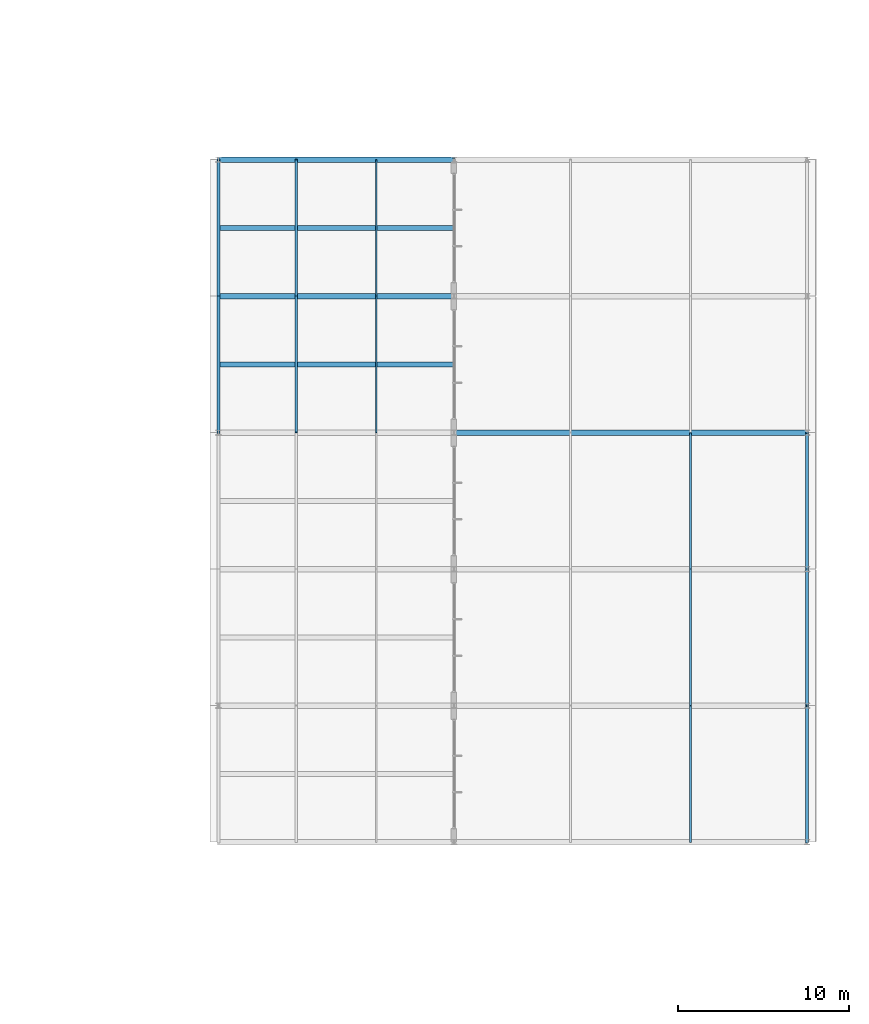
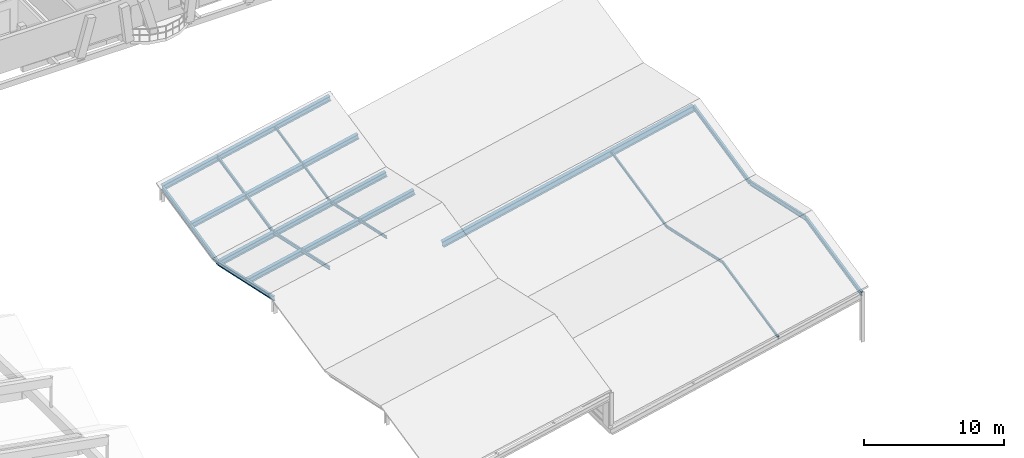
# One storey, part 47 of 109: 9 members, 8 beams.
"""IFC4 building model written with IfcOpenShell, lengths in metres."""

from ifc_helpers import new_model, si_unit, direction, frame, origin, origin_2d, place, context, subcontext, project, spatial, i_section, extrude, material, material_profile, profile_set, type_object, element, save


model = new_model("IFC4")

# Units and contexts
model_context = context("Model", 3, precision=1e-05, world=origin(), true_north=direction((0.0, 1.0)))
body_context = subcontext(model_context, "Body", "Model", "MODEL_VIEW")
ifc_project = project(units=[si_unit("LENGTHUNIT", "METRE"), si_unit("AREAUNIT", "SQUARE_METRE"), si_unit("VOLUMEUNIT", "CUBIC_METRE"), si_unit("PLANEANGLEUNIT", "RADIAN"), si_unit("MASSUNIT", "GRAM", prefix="KILO")], contexts=[model_context])

# Site, building, storey
site_placement = place(None, origin())
site = spatial("IfcSite", under=ifc_project, at=site_placement, CompositionType="ELEMENT")
building_placement = place(site_placement, origin())
building = spatial("IfcBuilding", under=site, at=building_placement, Name="Zavelmont Quarter", CompositionType="ELEMENT")
storey_placement = place(building_placement, frame((0.0, 0.0, 8.0)))
storey = spatial("IfcBuildingStorey", under=building, at=storey_placement, Name="L02", CompositionType="ELEMENT", Elevation=8.0)

# Beams
ifc_material = material(Name="Steel S355", Category="steel")
ifc_material_profile_1 = material_profile(ifc_material, i_section(OverallWidth=0.300048828125, OverallDepth=0.43994140625, WebThickness=0.011474609375, FlangeThickness=0.02099609375, at=origin_2d()), Name="HEA 450")
ifc_profile_set_1 = profile_set([ifc_material_profile_1], Name="Steel S355")
beam_type_1 = type_object("IfcBeamType", Name="BM10", PredefinedType="BEAM", material=ifc_profile_set_1)
for number, where, z_axis, x_axis, name in (
    (1, (133.5, 70.0, -0.580078125), (0.977176519947, 0.0, 0.212428926618), (0.0, 1.0, 0.0), "L02 beam BM10 20/L to 22/L"),
    (2, (133.5, 78.0, 1.169921875), (0.977176519947, 0.0, 0.212428926618), (0.0, 1.0, 0.0), "L02 beam BM10 20/M to 22/M"),
):
    element("IfcBeam", number, at=place(storey_placement, frame(where, z_axis=z_axis, x_axis=x_axis)), inside=storey, type_object=beam_type_1, Name=name, PredefinedType="BEAM", context=body_context, shape_type="SweptSolid", body=[
        extrude(i_section(OverallWidth=0.300048828125, OverallDepth=0.43994140625, WebThickness=0.011474609375, FlangeThickness=0.02099609375, at=origin_2d()), origin(), (0.0, 0.0, 1.0), 14.122314453125),
    ])
ifc_material_profile_2 = material_profile(ifc_material, i_section(OverallWidth=0.300048828125, OverallDepth=0.5400390625, WebThickness=0.012451171875, FlangeThickness=0.02392578125, at=origin_2d()), Name="HEA 550")
ifc_profile_set_2 = profile_set([ifc_material_profile_2], Name="Steel S355")
beam_type_2 = type_object("IfcBeamType", Name="BM11", PredefinedType="BEAM", material=ifc_profile_set_2)
beam_placement = place(storey_placement, frame((147.300048828125, 62.0, 1.1201171875), z_axis=(0.97593670434, 0.0, 0.21805400506), x_axis=(0.0, 1.0, 0.0)))
element("IfcBeam", 3, at=beam_placement, inside=storey, type_object=beam_type_2, Name="L02 beam BM11 22/K to 25/K", PredefinedType="BEAM", context=body_context, shape_type="SweptSolid", body=[
    extrude(i_section(OverallWidth=0.300048828125, OverallDepth=0.5400390625, WebThickness=0.012451171875, FlangeThickness=0.02392578125, at=origin_2d()), origin(), (0.0, 0.0, 1.0), 21.21044921875),
])
ifc_material_profile_3 = material_profile(ifc_material, i_section(OverallWidth=0.169921875, OverallDepth=0.360107421875, WebThickness=0.008056640625, FlangeThickness=0.0126953125, at=origin_2d()), Name="IPE 360")
ifc_profile_set_3 = profile_set([ifc_material_profile_3], Name="Steel S355")
beam_type_3 = type_object("IfcBeamType", Name="BM13", PredefinedType="BEAM", material=ifc_profile_set_3)
for number, where, z_axis, x_axis, name in (
    (4, (133.5, 62.0, 1.2099609375), (0.0, 0.976900017396, -0.213696878805), (-1.0, 0.0, 0.0), "L02 beam BM13 20/K to 20/L"),
    (5, (133.5, 70.0, -0.5400390625), (0.0, 0.976900017396, 0.213696878805), (-1.0, 0.0, 0.0), "L02 beam BM13 20/L to 20/M"),
    (6, (168.0, 38.0, 4.0849609375), (0.0, 0.976900017396, 0.213696878805), (-1.0, 0.0, 0.0), "L02 beam BM13 25/G to 25/H"),
    (7, (168.0, 46.0, 5.8349609375), (0.0, 0.976900017396, -0.213696878805), (-1.0, 0.0, 0.0), "L02 beam BM13 25/H to 25/J"),
    (8, (168.0, 54.0, 4.0849609375), (0.0, 0.976900017396, 0.213696878805), (-1.0, 0.0, 0.0), "L02 beam BM13 25/J to 25/K"),
):
    element("IfcBeam", number, at=place(storey_placement, frame(where, z_axis=z_axis, x_axis=x_axis)), inside=storey, type_object=beam_type_3, Name=name, PredefinedType="BEAM", context=body_context, shape_type="SweptSolid", body=[
        extrude(i_section(OverallWidth=0.169921875, OverallDepth=0.360107421875, WebThickness=0.008056640625, FlangeThickness=0.0126953125, at=origin_2d()), origin(), (0.0, 0.0, 1.0), 8.189208984375),
    ])

# Members
ifc_material_profile_4 = material_profile(ifc_material, i_section(OverallWidth=0.135009765625, OverallDepth=0.27001953125, WebThickness=0.006591796875, FlangeThickness=0.01025390625, at=origin_2d()), Name="IPE 270")
ifc_profile_set_4 = profile_set([ifc_material_profile_4], Name="Steel S355")
member_type_1 = type_object("IfcMemberType", Name="PR01", PredefinedType="PURLIN", material=ifc_profile_set_4)
for number, where, z_axis, x_axis, name in (
    (9, (138.053955078125, 62.0, 2.260009765625), (0.0, 0.976900017396, -0.213696878805), (-1.0, 0.0, 0.0), "L02 member PR01 21/K to 21/L"),
    (10, (138.053955078125, 70.0, 0.510009765625), (0.0, 0.976900017396, 0.213696878805), (-1.0, 0.0, 0.0), "L02 member PR01 21/L to 21/M"),
):
    element("IfcMember", number, at=place(storey_placement, frame(where, z_axis=z_axis, x_axis=x_axis)), inside=storey, type_object=member_type_1, Name=name, PredefinedType="PURLIN", context=body_context, shape_type="SweptSolid", body=[
        extrude(i_section(OverallWidth=0.135009765625, OverallDepth=0.27001953125, WebThickness=0.006591796875, FlangeThickness=0.01025390625, at=origin_2d()), origin(), (0.0, 0.0, 1.0), 8.189208984375),
    ])
ifc_material_profile_5 = material_profile(ifc_material, i_section(OverallWidth=0.110107421875, OverallDepth=0.219970703125, WebThickness=0.005859375, FlangeThickness=0.00927734375, at=origin_2d()), Name="IPE 220")
ifc_profile_set_5 = profile_set([ifc_material_profile_5], Name="Steel S355")
member_type_2 = type_object("IfcMemberType", Name="PR02", PredefinedType="PURLIN", material=ifc_profile_set_5)
for number, where, z_axis, x_axis, name in (
    (11, (161.1689453125, 38.0, 2.618896484375), (0.0, 0.976900017396, 0.213696878805), (-1.0, 0.0, 0.0), "L02 member PR02 24/G to 24/H"),
    (12, (161.1689453125, 46.0, 4.368896484375), (0.0, 0.976900017396, -0.213696878805), (-1.0, 0.0, 0.0), "L02 member PR02 24/H to 24/J"),
    (13, (161.1689453125, 54.0, 2.618896484375), (0.0, 0.976900017396, 0.213696878805), (-1.0, 0.0, 0.0), "L02 member PR02 24/J to 24/K"),
    (14, (142.74609375, 62.0, 3.280029296875), (0.0, 0.976900017396, -0.213696878805), (-1.0, 0.0, 0.0), "L02 member PR02 21/K to 21/L"),
    (15, (142.74609375, 70.0, 1.530029296875), (0.0, 0.976900017396, 0.213696878805), (-1.0, 0.0, 0.0), "L02 member PR02 21/L to 21/M"),
):
    element("IfcMember", number, at=place(storey_placement, frame(where, z_axis=z_axis, x_axis=x_axis)), inside=storey, type_object=member_type_2, Name=name, PredefinedType="PURLIN", context=body_context, shape_type="SweptSolid", body=[
        extrude(i_section(OverallWidth=0.110107421875, OverallDepth=0.219970703125, WebThickness=0.005859375, FlangeThickness=0.00927734375, at=origin_2d()), origin(), (0.0, 0.0, 1.0), 8.189208984375),
    ])
ifc_material_profile_6 = material_profile(ifc_material, i_section(OverallWidth=0.300048828125, OverallDepth=0.43994140625, WebThickness=0.011474609375, FlangeThickness=0.02099609375, at=origin_2d()), Name="HEA 450")
ifc_profile_set_6 = profile_set([ifc_material_profile_6], Name="Steel S355")
member_type_3 = type_object("IfcMemberType", Name="RFM1", PredefinedType="RAFTER", material=ifc_profile_set_6)
for number, where, z_axis, x_axis, name in (
    (16, (133.5, 66.0, 0.27490234375), (0.977176519947, 0.0, 0.212428926618), (0.0, 1.0, 0.0), "L02 member RFM1 20/K to 22/K"),
    (17, (133.5, 74.0, 0.27490234375), (0.977176519947, 0.0, 0.212428926618), (0.0, 1.0, 0.0), "L02 member RFM1 20/L to 22/L"),
):
    element("IfcMember", number, at=place(storey_placement, frame(where, z_axis=z_axis, x_axis=x_axis)), inside=storey, type_object=member_type_3, Name=name, PredefinedType="RAFTER", context=body_context, shape_type="SweptSolid", body=[
        extrude(i_section(OverallWidth=0.300048828125, OverallDepth=0.43994140625, WebThickness=0.011474609375, FlangeThickness=0.02099609375, at=origin_2d()), origin(), (0.0, 0.0, 1.0), 14.122314453125),
    ])

save(model, "model.ifc")
